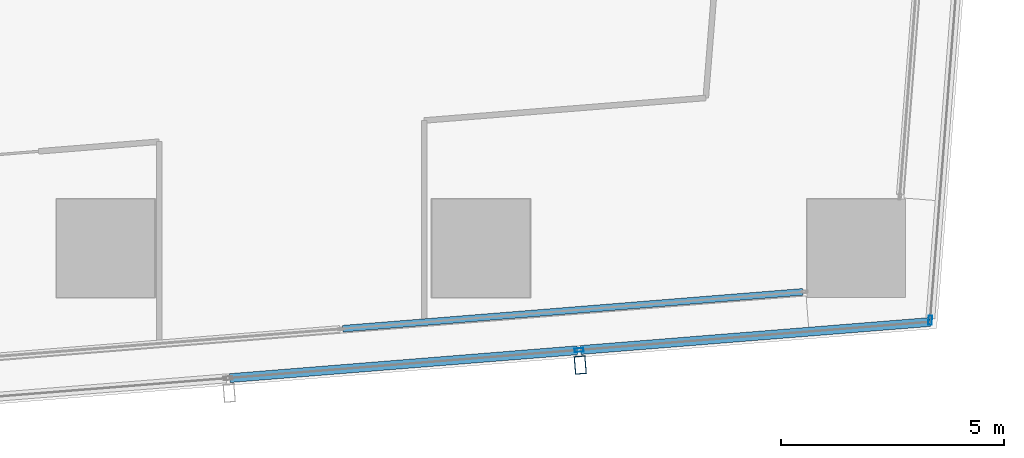
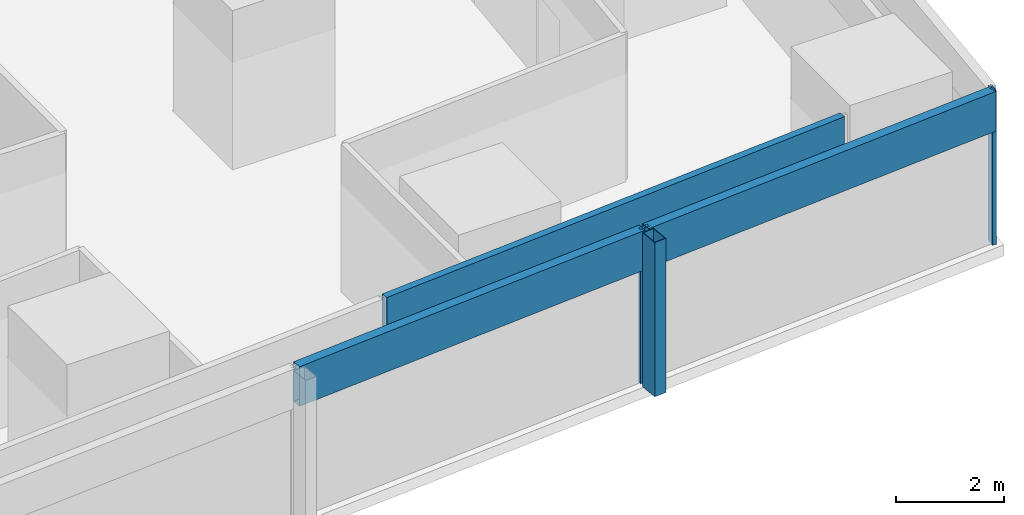
# One storey, part 11 of 45: 6 members, 3 elements without a shape of their own.
"""IFC4 building model written with IfcOpenShell, lengths in metres."""

from ifc_helpers import new_model, si_unit, direction, frame, origin, origin_2d, place, context, subcontext, project, spatial, hollow_rectangle, extrude, material, material_profile, profile_set, type_object, element, aggregate, save


model = new_model("IFC4")

# Units and contexts
model_context = context("Model", 3, precision=1e-05, world=origin(), true_north=direction((0.0, 1.0)))
body_context = subcontext(model_context, "Body", "Model", "MODEL_VIEW")
ifc_project = project(units=[si_unit("LENGTHUNIT", "METRE"), si_unit("AREAUNIT", "SQUARE_METRE"), si_unit("VOLUMEUNIT", "CUBIC_METRE"), si_unit("PLANEANGLEUNIT", "RADIAN"), si_unit("MASSUNIT", "GRAM", prefix="KILO")], contexts=[model_context])

# Site, building, storey
site_placement = place(None, origin())
site = spatial("IfcSite", under=ifc_project, at=site_placement, CompositionType="ELEMENT")
building_placement = place(site_placement, origin())
building = spatial("IfcBuilding", under=site, at=building_placement, Name="Rekha Terrace Tower", CompositionType="ELEMENT")
storey_placement = place(building_placement, frame((0.0, 0.0, 32.89990234375)))
storey = spatial("IfcBuildingStorey", under=building, at=storey_placement, Name="L07", CompositionType="ELEMENT", Elevation=32.89990234375)

# Curtain wall, member
ifc_material_1 = material(Name="Aluminium framing", Category="aluminium")
curtain_wall_type_1 = type_object("IfcCurtainWallType", Name="CW2 double skin outer glazing", PredefinedType="USERDEFINED", material=ifc_material_1)
curtain_wall_1_placement = place(storey_placement, origin())
curtain_wall_1 = element("IfcCurtainWall", 1, at=curtain_wall_1_placement, inside=storey, type_object=curtain_wall_type_1, Name="CW2 double skin outer glazing", ObjectType="DOUBLE SKIN OUTER GLAZING", PredefinedType="USERDEFINED")
ifc_material_2 = material(Name="Steel S355 with fluorocarbon finish", Category="steel")
ifc_material_profile_1 = material_profile(ifc_material_2, hollow_rectangle(XDim=0.25, YDim=0.39990234375, WallThickness=0.012451171875, at=origin_2d()), Name="RHS400x250x12.5")
ifc_profile_set_1 = profile_set([ifc_material_profile_1], Name="Steel S355 with fluorocarbon finish")
member_type_1 = type_object("IfcMemberType", Name="BL1 facade blade RHS 400 x 250", PredefinedType="USERDEFINED", material=ifc_profile_set_1)
member_1_placement = place(storey_placement, frame((61.022705078125, 5.78515625, 0.0), z_axis=(0.0, 0.0, 1.0), x_axis=(0.996805139821, 0.079871855039, 0.0)))
member_1 = element("IfcMember", 2, at=member_1_placement, type_object=member_type_1, Name="Facade blade", ObjectType="FACADE BLADE", PredefinedType="USERDEFINED", context=body_context, shape_type="SweptSolid", body=[
    extrude(hollow_rectangle(XDim=0.25, YDim=0.39990234375, WallThickness=0.012451171875, at=origin_2d()), origin(), (0.0, 0.0, 1.0), 3.5),
])

curtain_wall_type_2 = type_object("IfcCurtainWallType", Name="CW1 double skin inner glazing", PredefinedType="USERDEFINED", material=ifc_material_1)
curtain_wall_2_placement = place(storey_placement, origin())
curtain_wall_2 = element("IfcCurtainWall", 3, at=curtain_wall_2_placement, inside=storey, type_object=curtain_wall_type_2, Name="CW1 double skin inner glazing", ObjectType="DOUBLE SKIN INNER GLAZING", PredefinedType="USERDEFINED")
ifc_material_3 = material(Name="Insulated aluminium spandrel box", Category="aluminium")
ifc_material_profile_2 = material_profile(ifc_material_3, hollow_rectangle(XDim=0.14990234375, YDim=0.89990234375, WallThickness=0.0029296875, at=origin_2d()), Name="AL SPANDREL BOX 150x900")
ifc_profile_set_2 = profile_set([ifc_material_profile_2], Name="Insulated aluminium spandrel box")
member_type_2 = type_object("IfcMemberType", Name="CW1 spandrel transom 150 x 900", PredefinedType="USERDEFINED", material=ifc_profile_set_2)
member_2_placement = place(storey_placement, frame((55.704345703125, 6.59814453125, 3.050048828125), z_axis=(0.996806184606, 0.079858814989, 0.0), x_axis=(-0.079858814989, 0.996806184606, 0.0)))
member_2 = element("IfcMember", 4, at=member_2_placement, type_object=member_type_2, Name="CW1 spandrel transom 2", ObjectType="TRANSOM", PredefinedType="USERDEFINED", context=body_context, shape_type="SweptSolid", body=[
    extrude(hollow_rectangle(XDim=0.14990234375, YDim=0.89990234375, WallThickness=0.0029296875, at=origin_2d()), origin(), (0.0, 0.0, 1.0), 10.336181640625),
])
aggregate(curtain_wall_2, [member_2])

# Member
ifc_material_4 = material(Name="Aluminium mullion section", Category="aluminium")
ifc_material_profile_3 = material_profile(ifc_material_4, hollow_rectangle(XDim=0.080078125, YDim=0.199951171875, WallThickness=0.00390625, at=origin_2d()), Name="AL RHS 80x200")
ifc_profile_set_3 = profile_set([ifc_material_profile_3], Name="Aluminium mullion section")
member_type_3 = type_object("IfcMemberType", Name="CW2 mullion RHS 80 x 200", PredefinedType="MULLION", material=ifc_profile_set_3)
member_3_placement = place(storey_placement, frame((60.99609375, 6.119140625, 0.0), z_axis=(0.0, 0.0, 1.0), x_axis=(-0.079872204468, 0.996805111821, 0.0)))
member_3 = element("IfcMember", 5, at=member_3_placement, type_object=member_type_3, Name="CW2 mullion 3", PredefinedType="MULLION", context=body_context, shape_type="SweptSolid", body=[
    extrude(hollow_rectangle(XDim=0.080078125, YDim=0.199951171875, WallThickness=0.00390625, at=origin_2d()), origin(), (0.0, 0.0, 1.0), 3.5),
])

# Curtain wall, member
curtain_wall_3_placement = place(storey_placement, origin())
curtain_wall_3 = element("IfcCurtainWall", 6, at=curtain_wall_3_placement, inside=storey, type_object=curtain_wall_type_1, Name="CW2 double skin outer glazing", ObjectType="DOUBLE SKIN OUTER GLAZING", PredefinedType="USERDEFINED")
member_4_placement = place(storey_placement, frame((68.8544921875, 6.78857421875, 0.0), z_axis=(0.0, 0.0, 1.0), x_axis=(-0.996865392575, 0.079116301017, 0.0)))
member_4 = element("IfcMember", 7, at=member_4_placement, type_object=member_type_3, Name="CW2 mullion 1", PredefinedType="MULLION", context=body_context, shape_type="SweptSolid", body=[
    extrude(hollow_rectangle(XDim=0.080078125, YDim=0.199951171875, WallThickness=0.00390625, at=origin_2d()), origin(), (0.0, 0.0, 1.0), 3.5),
])
aggregate(curtain_wall_3, [member_4])

# Member
ifc_material_profile_4 = material_profile(ifc_material_3, hollow_rectangle(XDim=0.199951171875, YDim=0.89990234375, WallThickness=0.0029296875, at=origin_2d()), Name="AL SPANDREL BOX 200x900")
ifc_profile_set_4 = profile_set([ifc_material_profile_4], Name="Insulated aluminium spandrel box")
member_type_4 = type_object("IfcMemberType", Name="CW2 spandrel transom 200 x 900", PredefinedType="USERDEFINED", material=ifc_profile_set_4)
member_5_placement = place(storey_placement, frame((53.1806640625, 5.492919921875, 3.050048828125), z_axis=(0.996804920132, 0.079874596715, 0.0), x_axis=(-0.079874596715, 0.996804920132, 0.0)))
member_5 = element("IfcMember", 8, at=member_5_placement, type_object=member_type_4, Name="CW2 spandrel transom 2", ObjectType="TRANSOM", PredefinedType="USERDEFINED", context=body_context, shape_type="SweptSolid", body=[
    extrude(hollow_rectangle(XDim=0.199951171875, YDim=0.89990234375, WallThickness=0.0029296875, at=origin_2d()), origin(), (0.0, 0.0, 1.0), 7.80029296875),
])

member_6_placement = place(storey_placement, frame((61.035888671875, 6.122314453125, 3.050048828125), z_axis=(0.996805270739, 0.07987022115, 0.0), x_axis=(-0.07987022115, 0.996805270739, 0.0)))
member_6 = element("IfcMember", 9, at=member_6_placement, type_object=member_type_4, Name="CW2 spandrel transom 3", ObjectType="TRANSOM", PredefinedType="USERDEFINED", context=body_context, shape_type="SweptSolid", body=[
    extrude(hollow_rectangle(XDim=0.199951171875, YDim=0.89990234375, WallThickness=0.0029296875, at=origin_2d()), origin(), (0.0, 0.0, 1.0), 7.840576171875),
])

aggregate(curtain_wall_1, [member_3, member_5, member_6, member_1])

save(model, "model.ifc")
